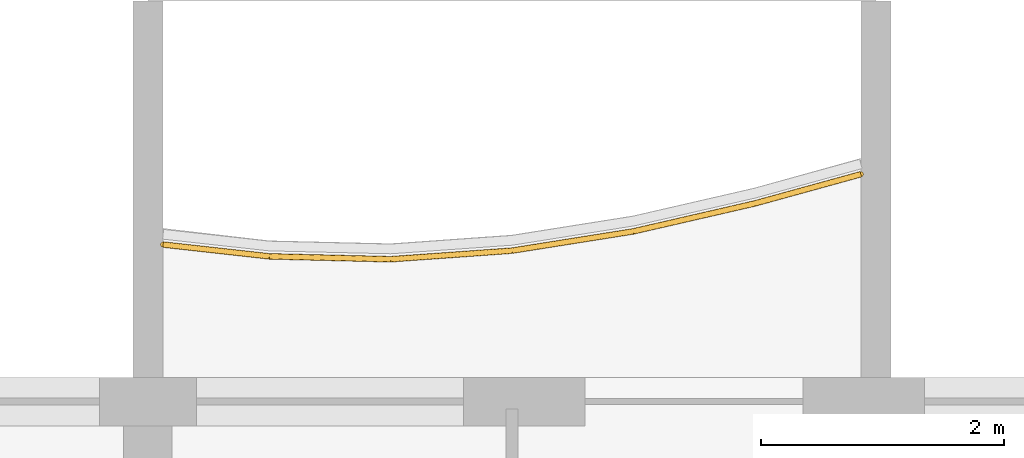
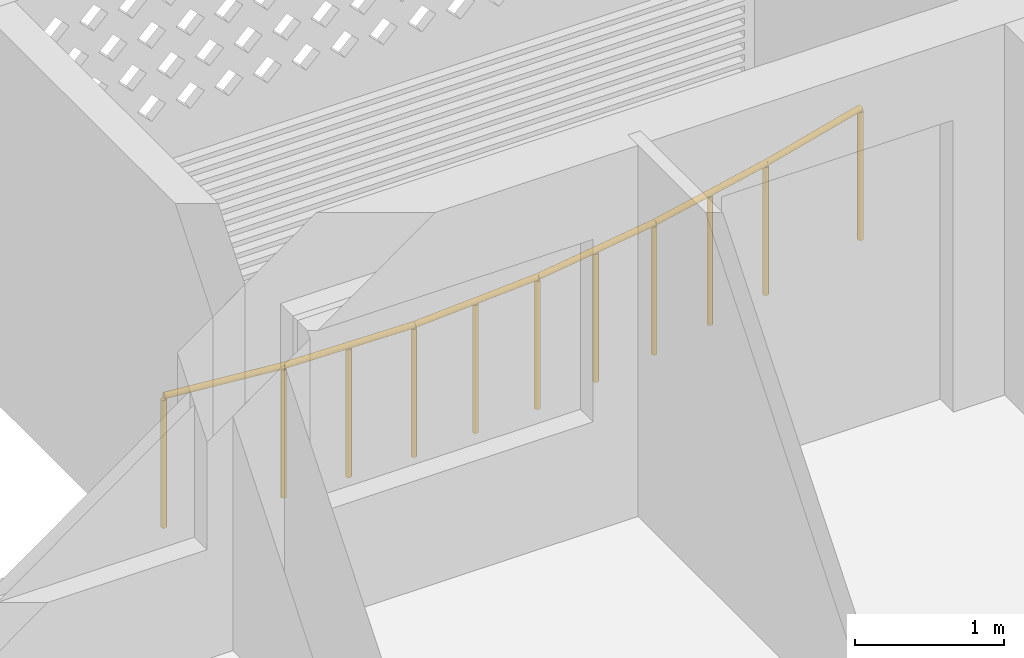
# One storey, part 30 of 40: 1 railing.
"""IFC4 building model written with IfcOpenShell, lengths in metres."""

from ifc_helpers import new_model, si_unit, direction, frame, origin, origin_2d, place, context, subcontext, project, spatial, circle, extrude, material, type_object, element, save


model = new_model("IFC4")

# Units and contexts
model_context = context("Model", 3, precision=1e-05, world=origin(), true_north=direction((0.0, 1.0)))
body_context = subcontext(model_context, "Body", "Model", "MODEL_VIEW")
ifc_project = project(units=[si_unit("LENGTHUNIT", "METRE"), si_unit("AREAUNIT", "SQUARE_METRE"), si_unit("VOLUMEUNIT", "CUBIC_METRE"), si_unit("PLANEANGLEUNIT", "RADIAN"), si_unit("MASSUNIT", "GRAM", prefix="KILO")], contexts=[model_context])

# Site, building, storey
site_placement = place(None, origin())
site = spatial("IfcSite", under=ifc_project, at=site_placement, CompositionType="ELEMENT")
building_placement = place(site_placement, origin())
building = spatial("IfcBuilding", under=site, at=building_placement, Name="Poui Terraces", CompositionType="ELEMENT")
storey_placement = place(building_placement, frame((0.0, 0.0, 33.300048828125)))
storey = spatial("IfcBuildingStorey", under=building, at=storey_placement, Name="L08", CompositionType="ELEMENT", Elevation=33.300048828125)

# Railing
ifc_material = material(Name="Painted steel fretwork", Category="steel")
railing_type = type_object("IfcRailingType", Name="BALCONY GUARD 1100", PredefinedType="GUARDRAIL", material=ifc_material)
railing_placement = place(storey_placement, frame((60.125, 46.093994140625, 0.0)))
element("IfcRailing", 1, at=railing_placement, inside=storey, type_object=railing_type, Name="BALCONY GUARD", PredefinedType="GUARDRAIL", context=body_context, shape_type="SweptSolid", body=[
    extrude(circle(Radius=0.02392578125, at=origin_2d()), frame((0.0, 0.0, 1.076171875), z_axis=(0.993890496546, -0.110370652239, 0.0), x_axis=(0.110370652239, 0.993890496546, 0.0)), (0.0, 0.0, 1.0), 0.88037109375),
    extrude(circle(Radius=0.02392578125, at=origin_2d()), frame((0.875, -0.09716796875, 1.076171875), z_axis=(0.999713901321, -0.023918936116, 0.0), x_axis=(0.023918936116, 0.999713901321, 0.0)), (0.0, 0.0, 1.0), 1.000244140625),
    extrude(circle(Radius=0.02392578125, at=origin_2d()), frame((1.875, -0.12109375, 1.076171875), z_axis=(0.997485823051, 0.07086630237, 0.0), x_axis=(-0.07086630237, 0.997485823051, 0.0)), (0.0, 0.0, 1.0), 1.00244140625),
    extrude(circle(Radius=0.02392578125, at=origin_2d()), frame((2.875, -0.050048828125, 1.076171875), z_axis=(0.987641453623, 0.156730211146, 0.0), x_axis=(-0.156730211146, 0.987641453623, 0.0)), (0.0, 0.0, 1.0), 1.012451171875),
    extrude(circle(Radius=0.02392578125, at=origin_2d()), frame((3.875, 0.108642578125, 1.076171875), z_axis=(0.974559344395, 0.224129614849, 0.0), x_axis=(-0.224129614849, 0.974559344395, 0.0)), (0.0, 0.0, 1.0), 1.026123046875),
    extrude(circle(Radius=0.02392578125, at=origin_2d()), frame((4.875, 0.338623046875, 1.076171875), z_axis=(0.964109044375, 0.265506592299, 0.0), x_axis=(-0.265506592299, 0.964109044375, 0.0)), (0.0, 0.0, 1.0), 0.907470703125),
    extrude(circle(Radius=0.02099609375, at=origin_2d()), origin(), (0.0, 0.0, 1.0), 1.052001953125),
    extrude(circle(Radius=0.02099609375, at=origin_2d()), frame((0.875, -0.09716796875, 0.0)), (0.0, 0.0, 1.0), 1.052001953125),
    extrude(circle(Radius=0.02099609375, at=origin_2d()), frame((1.375, -0.109130859375, 0.0)), (0.0, 0.0, 1.0), 1.052001953125),
    extrude(circle(Radius=0.02099609375, at=origin_2d()), frame((1.875, -0.12109375, 0.0)), (0.0, 0.0, 1.0), 1.052001953125),
    extrude(circle(Radius=0.02099609375, at=origin_2d()), frame((2.375, -0.08544921875, 0.0)), (0.0, 0.0, 1.0), 1.052001953125),
    extrude(circle(Radius=0.02099609375, at=origin_2d()), frame((2.875, -0.050048828125, 0.0)), (0.0, 0.0, 1.0), 1.052001953125),
    extrude(circle(Radius=0.02099609375, at=origin_2d()), frame((3.375, 0.029296875, 0.0)), (0.0, 0.0, 1.0), 1.052001953125),
    extrude(circle(Radius=0.02099609375, at=origin_2d()), frame((3.875, 0.108642578125, 0.0)), (0.0, 0.0, 1.0), 1.052001953125),
    extrude(circle(Radius=0.02099609375, at=origin_2d()), frame((4.375, 0.2236328125, 0.0)), (0.0, 0.0, 1.0), 1.052001953125),
    extrude(circle(Radius=0.02099609375, at=origin_2d()), frame((4.875, 0.338623046875, 0.0)), (0.0, 0.0, 1.0), 1.052001953125),
    extrude(circle(Radius=0.02099609375, at=origin_2d()), frame((5.75, 0.57958984375, 0.0)), (0.0, 0.0, 1.0), 1.052001953125),
])

save(model, "model.ifc")
